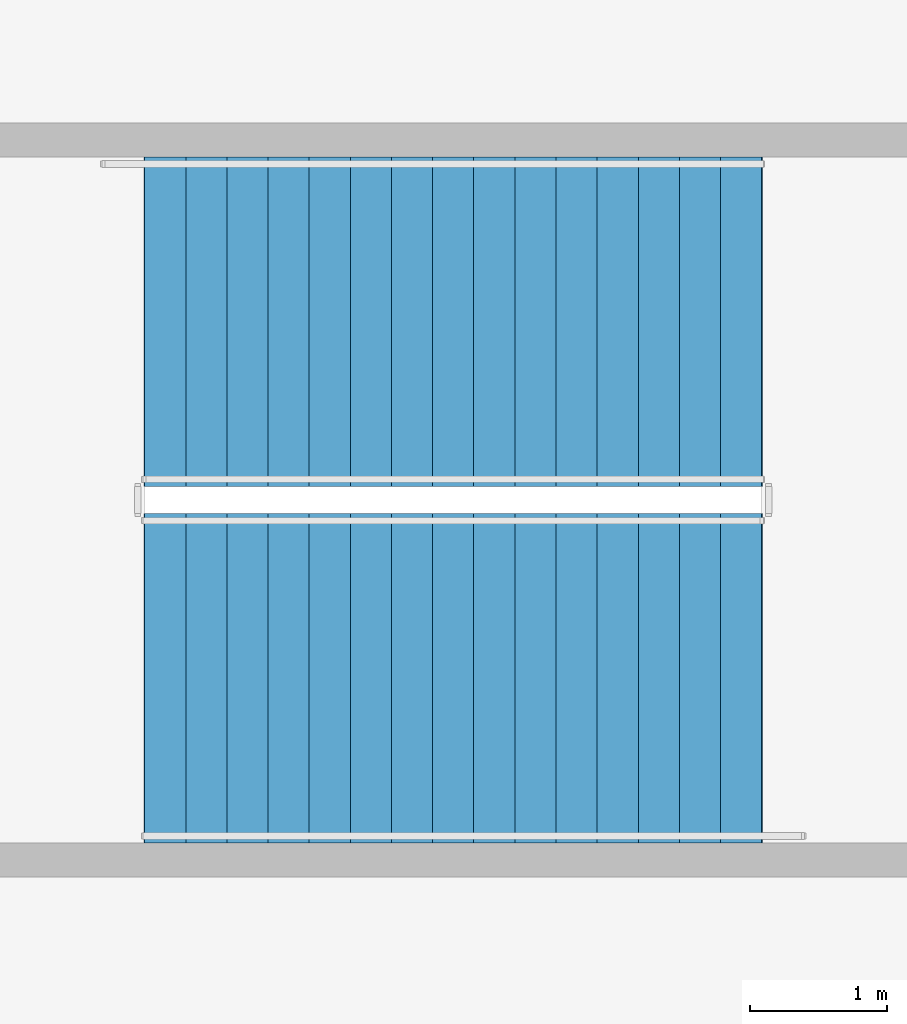
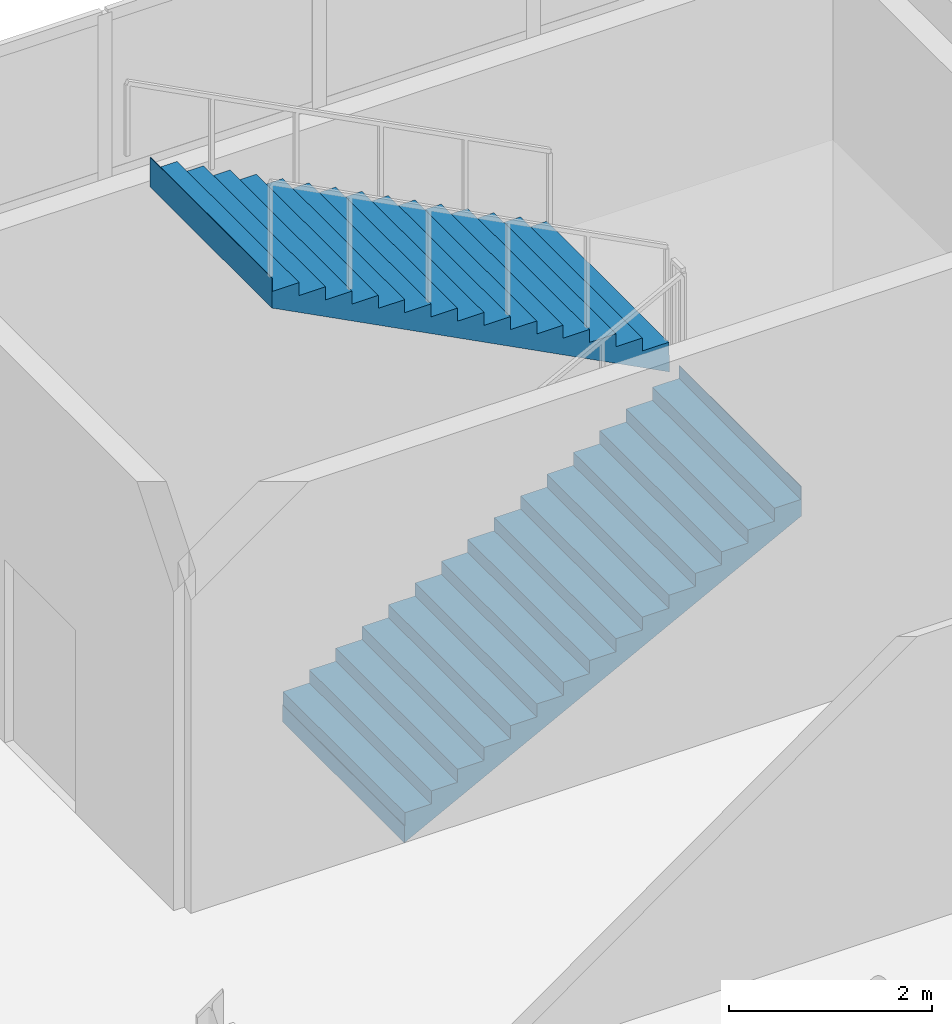
# One storey, part 138 of 179: 2 stair flights, 1 element without a shape of its own.
"""IFC4 building model written with IfcOpenShell, lengths in metres."""

import ifcopenshell
import ifcopenshell.guid

model = None  # the IFC model being written
_history = None  # IfcOwnerHistory: only IFC2X3 demands one
_inside = {}  # id of a spatial element -> (the spatial element, [elements in it])
_under = {}  # id of a project, library or spatial element -> (it, [spatial elements below it])
_declared = {}  # id of a project -> (the project, [libraries it declares])
_typed = {}  # id of a type object -> (the type object, [elements of that type])
_made_of = {}  # id of a material, layer set ... -> (it, [elements and type objects made of it])


def new_model(schema):
    """Start an empty IFC model of exactly this schema.

    Asked for "IFC4X3", IfcOpenShell would pick the latest addendum, in which some entities
    have other attributes; the version numbers below select the first issue.
    IFC2X3 requires an IfcOwnerHistory on every rooted entity: one is made here for all.
    """
    global model, _history
    if schema == "IFC4X3":
        model = ifcopenshell.file(schema_version=(4, 3, 0, 0))
    else:
        model = ifcopenshell.file(schema=schema)
    _inside.clear()
    _under.clear()
    _declared.clear()
    _typed.clear()
    _made_of.clear()
    _history = None
    if model.schema == "IFC2X3":
        org = make("IfcOrganization", Name="unknown")
        user = make(
            "IfcPersonAndOrganization",
            ThePerson=make("IfcPerson", FamilyName="unknown"),
            TheOrganization=org,
        )
        app = make(
            "IfcApplication",
            ApplicationDeveloper=org,
            Version="unknown",
            ApplicationFullName="unknown",
            ApplicationIdentifier="unknown",
        )
        _history = make(
            "IfcOwnerHistory",
            OwningUser=user,
            OwningApplication=app,
            ChangeAction="ADDED",
            CreationDate=0,
        )
    return model


def make(cls, **values):
    """One entity of the class cls with the attributes given. An attribute that is None is left unset."""
    return model.create_entity(
        cls, **{name: value for name, value in values.items() if value is not None}
    )


def rooted(cls, **values):
    """An entity with a GlobalId (a new one), such as an element, a storey or a relation."""
    return make(cls, GlobalId=ifcopenshell.guid.new(), OwnerHistory=_history, **values)


def si_unit(unit_type, name, prefix=None):
    """IfcSIUnit, for example si_unit("LENGTHUNIT", "METRE", prefix="MILLI")."""
    return make("IfcSIUnit", UnitType=unit_type, Prefix=prefix, Name=name)


def assignment(units):
    """IfcUnitAssignment: the units of a project."""
    return None if units is None else make("IfcUnitAssignment", Units=units)


def point(xyz):
    """IfcCartesianPoint."""
    return None if xyz is None else make("IfcCartesianPoint", Coordinates=xyz)


def direction(xyz):
    """IfcDirection."""
    return None if xyz is None else make("IfcDirection", DirectionRatios=xyz)


def frame(location, z_axis=None, x_axis=None):
    """IfcAxis2Placement3D, a coordinate frame: its origin and axes. An axis left out is left unset."""
    return make(
        "IfcAxis2Placement3D",
        Location=point(location),
        Axis=direction(z_axis),
        RefDirection=direction(x_axis),
    )


def origin():
    """The frame at (0, 0, 0) with its axes left unset."""
    return frame((0.0, 0.0, 0.0))


def place(relative_to, where):
    """IfcLocalPlacement: puts the frame where relative to a parent placement (None: the world)."""
    return make(
        "IfcLocalPlacement", PlacementRelTo=relative_to, RelativePlacement=where
    )


def context(
    kind, dimensions, precision=None, world=None, true_north=None, identifier=None
):
    """IfcGeometricRepresentationContext, for example the 3D "Model" context."""
    return make(
        "IfcGeometricRepresentationContext",
        ContextIdentifier=identifier,
        ContextType=kind,
        CoordinateSpaceDimension=dimensions,
        Precision=precision,
        WorldCoordinateSystem=world,
        TrueNorth=true_north,
    )


def subcontext(parent, identifier, kind, view, scale=None):
    """IfcGeometricRepresentationSubContext, for example "Body" below "Model"."""
    return make(
        "IfcGeometricRepresentationSubContext",
        ContextIdentifier=identifier,
        ContextType=kind,
        ParentContext=parent,
        TargetScale=scale,
        TargetView=view,
    )


def project(units=None, contexts=None):
    """IfcProject with its units and contexts."""
    return rooted(
        "IfcProject",
        Name="project",
        RepresentationContexts=contexts,
        UnitsInContext=assignment(units),
    )


def spatial(cls, under=None, at=None, **own):
    """A site, building, storey or space (cls), placed at a placement, below another one or the project."""
    s = rooted(cls, ObjectPlacement=at, **own)
    if under is not None:
        _under.setdefault(under.id(), (under, []))[1].append(s)
    return s


def polyline(points):
    """IfcPolyline through the points."""
    return make("IfcPolyline", Points=[point(p) for p in points])


def outline(outer, holes=None, kind="AREA"):
    """IfcArbitraryClosedProfileDef: a profile drawn as a closed curve; with holes, ...WithVoids."""
    if holes is None:
        return make("IfcArbitraryClosedProfileDef", ProfileType=kind, OuterCurve=outer)
    return make(
        "IfcArbitraryProfileDefWithVoids",
        ProfileType=kind,
        OuterCurve=outer,
        InnerCurves=holes,
    )


def extrude(swept, where, along, depth):
    """IfcExtrudedAreaSolid: the profile swept, set in the frame where, extruded along a direction by depth."""
    return make(
        "IfcExtrudedAreaSolid",
        SweptArea=swept,
        Position=where,
        ExtrudedDirection=direction(along),
        Depth=depth,
    )


def shape(context_of_items, identifier, shape_type, items):
    """IfcShapeRepresentation: the items that make up one representation, for example the "Body"."""
    return make(
        "IfcShapeRepresentation",
        ContextOfItems=context_of_items,
        RepresentationIdentifier=identifier,
        RepresentationType=shape_type,
        Items=items,
    )


def material(Name=None, Category=None):
    """IfcMaterial."""
    return make("IfcMaterial", Name=Name, Category=Category)


def made_of(thing, what):
    """Note that an element or type object is made of a material, layer set ...; save() writes the relation."""
    if what is not None:
        _made_of.setdefault(what.id(), (what, []))[1].append(thing)
    return thing


def type_object(cls, material=None, **own):
    """A type object (cls), such as IfcWallType, which elements share."""
    return made_of(rooted(cls, **own), material)


def element(
    cls,
    number,
    at=None,
    inside=None,
    cuts=None,
    type_object=None,
    material=None,
    context=None,
    identifier="Body",
    shape_type=None,
    held_by="IfcProductDefinitionShape",
    body=None,
    shapes=None,
    **own,
):
    """One element of the class cls, such as IfcWall. Its Tag is "e" and its number.

    at: its placement. inside: the storey or other place that contains it. cuts: it is an
    opening in that element (IfcRelVoidsElement). A single representation is given by context,
    identifier, shape_type and body (its items); several are given by shapes. held_by: the class
    of the entity that holds the representations. save() writes the other relations.
    """
    e = rooted(cls, Tag="e%d" % number, ObjectPlacement=at, **own)
    if body is not None:
        shapes = [shape(context, identifier, shape_type, body)]
    if shapes is not None:
        e.Representation = make(held_by, Representations=shapes)
    if inside is not None:
        _inside.setdefault(inside.id(), (inside, []))[1].append(e)
    if cuts is not None:
        rooted(
            "IfcRelVoidsElement", RelatingBuildingElement=cuts, RelatedOpeningElement=e
        )
    if type_object is not None:
        _typed.setdefault(type_object.id(), (type_object, []))[1].append(e)
    return made_of(e, material)


def aggregate(whole, parts):
    """IfcRelAggregates: a whole, such as a stair, and the parts it consists of."""
    return rooted("IfcRelAggregates", RelatingObject=whole, RelatedObjects=parts)


def save(model, path):
    """Write the relations noted so far, then the file.

    IfcRelAggregates (storeys below a building ...), IfcRelContainedInSpatialStructure (elements
    in a storey), IfcRelDefinesByType, IfcRelAssociatesMaterial and IfcRelDeclares: one each for
    every whole, place, type object, material and project.
    """
    for whole, parts in _under.values():
        aggregate(whole, parts)
    for where, things in _inside.values():
        rooted(
            "IfcRelContainedInSpatialStructure",
            RelatedElements=things,
            RelatingStructure=where,
        )
    for kind, things in _typed.values():
        rooted("IfcRelDefinesByType", RelatedObjects=things, RelatingType=kind)
    for what, things in _made_of.values():
        rooted("IfcRelAssociatesMaterial", RelatedObjects=things, RelatingMaterial=what)
    for by, libraries in _declared.values():
        rooted("IfcRelDeclares", RelatingContext=by, RelatedDefinitions=libraries)
    model.write(path)


model = new_model("IFC4")

# Units and contexts
model_context = context("Model", 3, precision=1e-05, world=origin(), true_north=direction((0.0, 1.0)))
body_context = subcontext(model_context, "Body", "Model", "MODEL_VIEW")
ifc_project = project(units=[si_unit("LENGTHUNIT", "METRE"), si_unit("AREAUNIT", "SQUARE_METRE"), si_unit("VOLUMEUNIT", "CUBIC_METRE"), si_unit("PLANEANGLEUNIT", "RADIAN"), si_unit("MASSUNIT", "GRAM", prefix="KILO")], contexts=[model_context])

# Site, building, storey
site_placement = place(None, origin())
site = spatial("IfcSite", under=ifc_project, at=site_placement, CompositionType="ELEMENT")
building_placement = place(site_placement, origin())
building = spatial("IfcBuilding", under=site, at=building_placement, Name="Zlatoyarsky Gate Stadium", CompositionType="ELEMENT")
storey_placement = place(building_placement, frame((0.0, 0.0, 10.60009765625)))
storey = spatial("IfcBuildingStorey", under=building, at=storey_placement, Name="L02", CompositionType="ELEMENT", Elevation=10.60009765625)

# Stair, stair flights
ifc_material = material(Name="Concrete C40/50", Category="concrete")
stair_type = type_object("IfcStairType", Name="CONCRETE DOGLEG EXIT STAIR H5000", PredefinedType="TWO_STRAIGHT_RUN_STAIR", material=ifc_material)
stair_placement = place(storey_placement, origin())
stair = element("IfcStair", 1, at=stair_placement, inside=storey, type_object=stair_type, Name="L02 Exit Stair ST-32", PredefinedType="TWO_STRAIGHT_RUN_STAIR")
stair_flight_type = type_object("IfcStairFlightType", Name="CONCRETE STAIR FLIGHT 2400 H5000", PredefinedType="STRAIGHT", material=ifc_material)
stair_flight_1_placement = place(storey_placement, frame((151.050048828125, 152.699951171875, 0.0), z_axis=(0.0, 0.0, 1.0), x_axis=(1.0, 0.0, 0.0)))
stair_flight_1 = element("IfcStairFlight", 2, at=stair_flight_1_placement, type_object=stair_flight_type, Name="ST-DG50 flight 1", NumberOfRisers=16, NumberOfTreads=15, PredefinedType="STRAIGHT", RiserHeight=0.15625, TreadLength=0.3, context=body_context, shape_type="SweptSolid", body=[
    extrude(outline(polyline([(-0.006103515625, -0.202880859375), (-0.006103515625, 0.0), (0.0, 0.0), (0.0, 0.15625), (0.300048828125, 0.15625), (0.300048828125, 0.3125), (0.60009765625, 0.3125), (0.60009765625, 0.46875), (0.89990234375, 0.46875), (0.89990234375, 0.625), (1.199951171875, 0.625), (1.199951171875, 0.78125), (1.5, 0.78125), (1.5, 0.9375), (1.800048828125, 0.9375), (1.800048828125, 1.09375), (2.10009765625, 1.09375), (2.10009765625, 1.25), (2.39990234375, 1.25), (2.39990234375, 1.40625), (2.699951171875, 1.40625), (2.699951171875, 1.5625), (3.0, 1.5625), (3.0, 1.71875), (3.300048828125, 1.71875), (3.300048828125, 1.875), (3.60009765625, 1.875), (3.60009765625, 2.03125), (3.89990234375, 2.03125), (3.89990234375, 2.1875), (4.199951171875, 2.1875), (4.199951171875, 2.34375), (4.5, 2.34375), (4.5, 2.5), (4.506103515625, 2.5), (4.506103515625, 2.140869140625), (4.5, 2.140869140625), (-0.006103515625, -0.202880859375)])), frame((0.0, 1.199951171875, 0.0), z_axis=(0.0, -1.0, 0.0), x_axis=(1.0, 0.0, 0.0)), (0.0, 0.0, 1.0), 2.39990234375),
])
stair_flight_2_placement = place(storey_placement, frame((155.550048828125, 155.300048828125, 2.5), z_axis=(0.0, 0.0, 1.0), x_axis=(-1.0, 0.0, 0.0)))
stair_flight_2 = element("IfcStairFlight", 3, at=stair_flight_2_placement, type_object=stair_flight_type, Name="ST-DG50 flight 2", NumberOfRisers=16, NumberOfTreads=15, PredefinedType="STRAIGHT", RiserHeight=0.15625, TreadLength=0.3, context=body_context, shape_type="SweptSolid", body=[
    extrude(outline(polyline([(-0.006103515625, -0.202880859375), (-0.006103515625, 0.0), (0.0, 0.0), (0.0, 0.15625), (0.300048828125, 0.15625), (0.300048828125, 0.3125), (0.60009765625, 0.3125), (0.60009765625, 0.46875), (0.89990234375, 0.46875), (0.89990234375, 0.625), (1.199951171875, 0.625), (1.199951171875, 0.78125), (1.5, 0.78125), (1.5, 0.9375), (1.800048828125, 0.9375), (1.800048828125, 1.09375), (2.10009765625, 1.09375), (2.10009765625, 1.25), (2.39990234375, 1.25), (2.39990234375, 1.40625), (2.699951171875, 1.40625), (2.699951171875, 1.5625), (3.0, 1.5625), (3.0, 1.71875), (3.300048828125, 1.71875), (3.300048828125, 1.875), (3.60009765625, 1.875), (3.60009765625, 2.03125), (3.89990234375, 2.03125), (3.89990234375, 2.1875), (4.199951171875, 2.1875), (4.199951171875, 2.34375), (4.5, 2.34375), (4.5, 2.5), (4.506103515625, 2.5), (4.506103515625, 2.140869140625), (4.5, 2.140869140625), (-0.006103515625, -0.202880859375)])), frame((0.0, 1.199951171875, 0.0), z_axis=(0.0, -1.0, 0.0), x_axis=(1.0, 0.0, 0.0)), (0.0, 0.0, 1.0), 2.39990234375),
])
aggregate(stair, [stair_flight_1, stair_flight_2])

save(model, "model.ifc")
